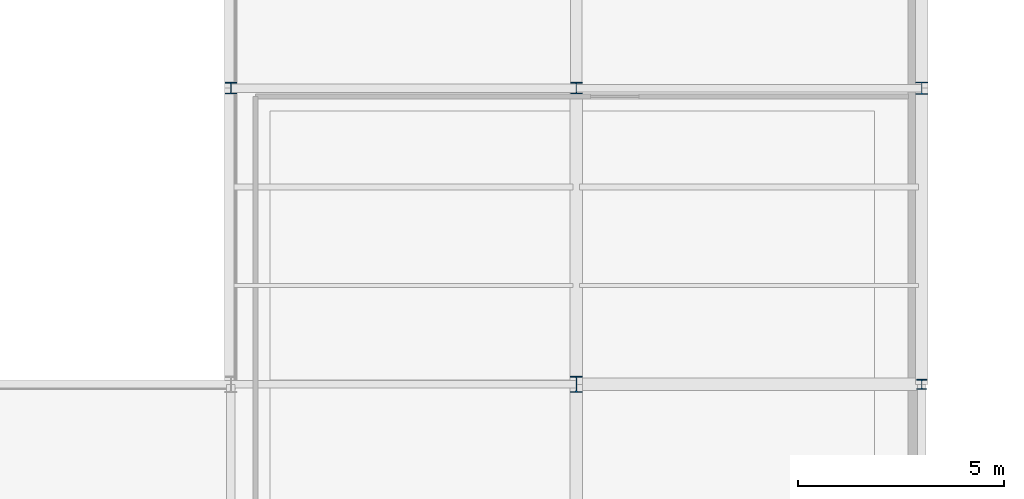
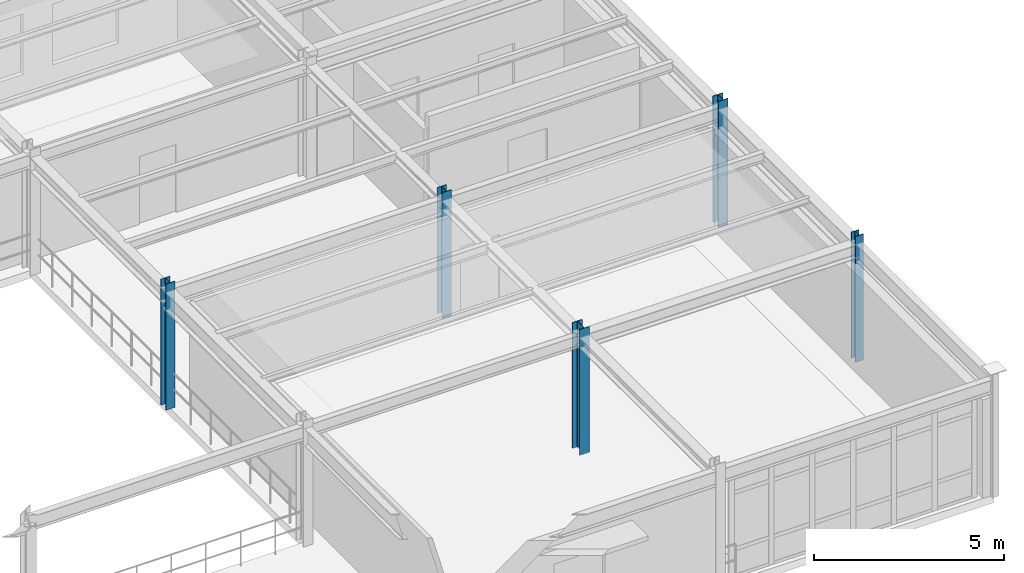
# One storey, part 15 of 70: 5 columns.
"""IFC4 building model written with IfcOpenShell, lengths in metres."""

from ifc_helpers import new_model, si_unit, derived_unit, direction, frame, origin, origin_2d, place, context, subcontext, project, spatial, i_section, extrude, material, material_profile, profile_set, type_object, element, save


model = new_model("IFC4")

# Units and contexts
model_context = context("Model", 3, precision=1e-05, world=origin(), true_north=direction((0.0, 1.0)))
body_context = subcontext(model_context, "Body", "Model", "MODEL_VIEW")
ifc_project = project(units=[si_unit("LENGTHUNIT", "METRE"), si_unit("AREAUNIT", "SQUARE_METRE"), si_unit("VOLUMEUNIT", "CUBIC_METRE"), si_unit("PLANEANGLEUNIT", "RADIAN"), si_unit("MASSUNIT", "GRAM", prefix="KILO"), derived_unit("THERMALTRANSMITTANCEUNIT", [(si_unit("POWERUNIT", "WATT"), 1), (si_unit("AREAUNIT", "SQUARE_METRE"), -1), (si_unit("THERMODYNAMICTEMPERATUREUNIT", "KELVIN"), -1)])], contexts=[model_context])

# Site, building, storey
site_placement = place(None, origin())
site = spatial("IfcSite", under=ifc_project, at=site_placement, CompositionType="ELEMENT")
building_placement = place(site_placement, origin())
building = spatial("IfcBuilding", under=site, at=building_placement, Name="Yasenodar Specialist Clinic", CompositionType="ELEMENT")
storey_placement = place(building_placement, frame((0.0, 0.0, 13.199951171875)))
storey = spatial("IfcBuildingStorey", under=building, at=storey_placement, Name="L03", CompositionType="ELEMENT", Elevation=13.199951171875)

# Columns
ifc_material = material(Name="Steel S355", Category="steel")
ifc_material_profile_1 = material_profile(ifc_material, i_section(OverallWidth=0.300048828125, OverallDepth=0.389892578125, WebThickness=0.010986328125, FlangeThickness=0.01904296875, FilletRadius=0.027099609375, at=origin_2d()), Name="HEA 400")
ifc_profile_set_1 = profile_set([ifc_material_profile_1], Name="Steel S355")
column_type_1 = type_object("IfcColumnType", Name="COL-ST-HEA400", PredefinedType="COLUMN", material=ifc_profile_set_1)
column_1_placement = place(storey_placement, frame((113.39990234375, 90.0, 0.0), z_axis=(0.0, 0.0, 1.0), x_axis=(1.0, 0.0, 0.0)))
element("IfcColumn", 1, at=column_1_placement, inside=storey, type_object=column_type_1, Name="L03 Column V5-133", PredefinedType="COLUMN", context=body_context, shape_type="SweptSolid", body=[
    extrude(i_section(OverallWidth=0.300048828125, OverallDepth=0.389892578125, WebThickness=0.010986328125, FlangeThickness=0.01904296875, FilletRadius=0.027099609375, at=origin_2d()), origin(), (0.0, 0.0, 1.0), 4.050048828125),
])
ifc_material_profile_2 = material_profile(ifc_material, i_section(OverallWidth=0.239990234375, OverallDepth=0.239990234375, WebThickness=0.010009765625, FlangeThickness=0.01708984375, FilletRadius=0.02099609375, at=origin_2d()), Name="HEB 240")
ifc_profile_set_2 = profile_set([ifc_material_profile_2], Name="Steel S355")
column_type_2 = type_object("IfcColumnType", Name="COL-ST-HEB240", PredefinedType="COLUMN", material=ifc_profile_set_2)
column_2_placement = place(storey_placement, frame((121.800048828125, 90.0, 0.0), z_axis=(0.0, 0.0, 1.0), x_axis=(1.0, 0.0, 0.0)))
element("IfcColumn", 2, at=column_2_placement, inside=storey, type_object=column_type_2, Name="L03 Column V5-142", PredefinedType="COLUMN", context=body_context, shape_type="SweptSolid", body=[
    extrude(i_section(OverallWidth=0.239990234375, OverallDepth=0.239990234375, WebThickness=0.010009765625, FlangeThickness=0.01708984375, FilletRadius=0.02099609375, at=origin_2d()), origin(), (0.0, 0.0, 1.0), 4.050048828125),
])
ifc_material_profile_3 = material_profile(ifc_material, i_section(OverallWidth=0.280029296875, OverallDepth=0.280029296875, WebThickness=0.010498046875, FlangeThickness=0.01806640625, FilletRadius=0.02392578125, at=origin_2d()), Name="HEB 280")
ifc_profile_set_3 = profile_set([ifc_material_profile_3], Name="Steel S355")
column_type_3 = type_object("IfcColumnType", Name="COL-ST-HEB280", PredefinedType="COLUMN", material=ifc_profile_set_3)
for number, where, z_axis, x_axis, name in (
    (3, (105.0, 97.199951171875, 0.0), (0.0, 0.0, 1.0), (1.0, 0.0, 0.0), "L03 Column V5-124"),
    (4, (113.39990234375, 97.199951171875, 0.0), (0.0, 0.0, 1.0), (1.0, 0.0, 0.0), "L03 Column V5-134"),
):
    element("IfcColumn", number, at=place(storey_placement, frame(where, z_axis=z_axis, x_axis=x_axis)), inside=storey, type_object=column_type_3, Name=name, PredefinedType="COLUMN", context=body_context, shape_type="SweptSolid", body=[
        extrude(i_section(OverallWidth=0.280029296875, OverallDepth=0.280029296875, WebThickness=0.010498046875, FlangeThickness=0.01806640625, FilletRadius=0.02392578125, at=origin_2d()), origin(), (0.0, 0.0, 1.0), 4.050048828125),
    ])
ifc_material_profile_4 = material_profile(ifc_material, i_section(OverallWidth=0.300048828125, OverallDepth=0.300048828125, WebThickness=0.010986328125, FlangeThickness=0.01904296875, FilletRadius=0.027099609375, at=origin_2d()), Name="HEB 300")
ifc_profile_set_4 = profile_set([ifc_material_profile_4], Name="Steel S355")
column_type_4 = type_object("IfcColumnType", Name="COL-ST-HEB300", PredefinedType="COLUMN", material=ifc_profile_set_4)
column_3_placement = place(storey_placement, frame((121.800048828125, 97.199951171875, 0.0), z_axis=(0.0, 0.0, 1.0), x_axis=(1.0, 0.0, 0.0)))
element("IfcColumn", 5, at=column_3_placement, inside=storey, type_object=column_type_4, Name="L03 Column V5-143", PredefinedType="COLUMN", context=body_context, shape_type="SweptSolid", body=[
    extrude(i_section(OverallWidth=0.300048828125, OverallDepth=0.300048828125, WebThickness=0.010986328125, FlangeThickness=0.01904296875, FilletRadius=0.027099609375, at=origin_2d()), origin(), (0.0, 0.0, 1.0), 4.050048828125),
])

save(model, "model.ifc")
